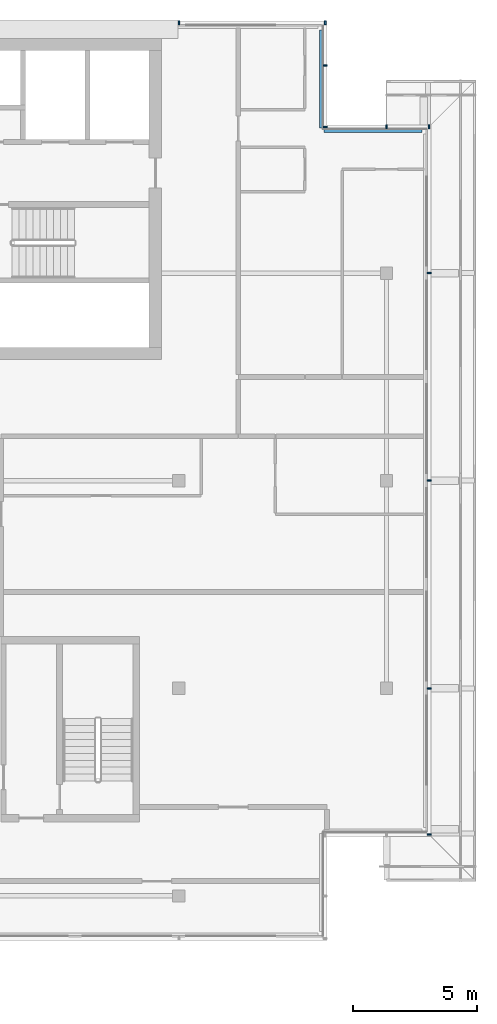
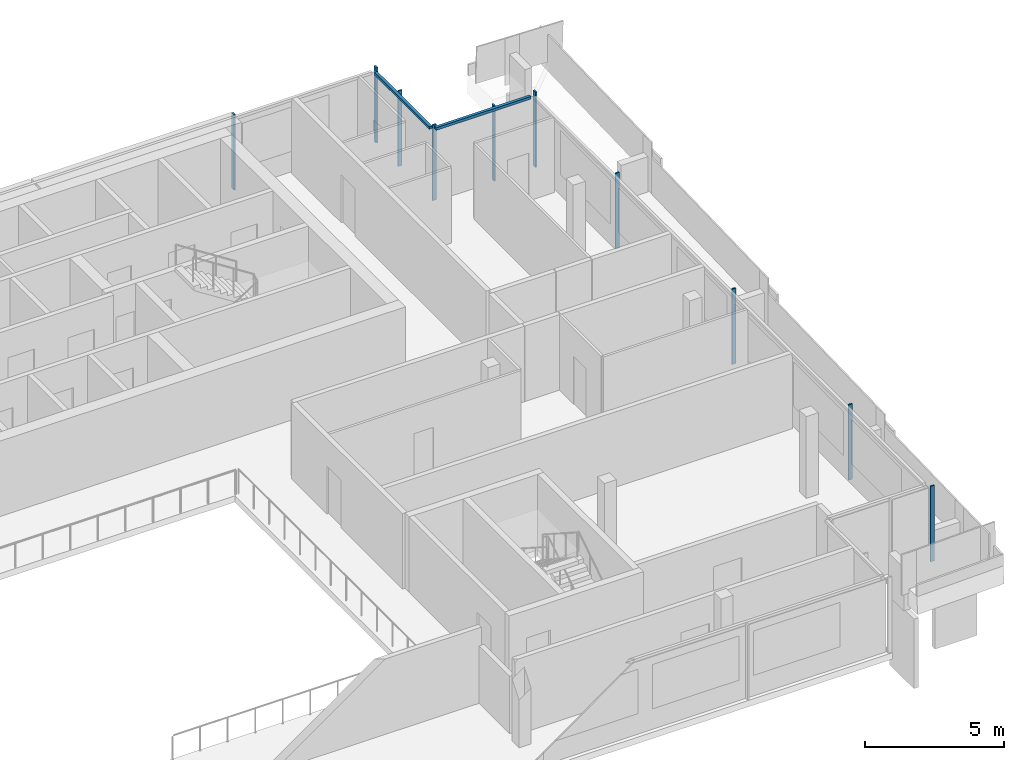
# One storey, part 8 of 19: 12 members, 4 elements without a shape of their own.
"""IFC4 building model written with IfcOpenShell, lengths in metres."""

from ifc_helpers import new_model, si_unit, direction, frame, origin, origin_2d, place, context, subcontext, project, spatial, rectangle, extrude, material, material_profile, profile_set, type_object, element, aggregate, save


model = new_model("IFC4")

# Units and contexts
model_context = context("Model", 3, precision=1e-05, world=origin(), true_north=direction((0.0, 1.0)))
body_context = subcontext(model_context, "Body", "Model", "MODEL_VIEW")
ifc_project = project(units=[si_unit("LENGTHUNIT", "METRE"), si_unit("AREAUNIT", "SQUARE_METRE"), si_unit("VOLUMEUNIT", "CUBIC_METRE"), si_unit("PLANEANGLEUNIT", "RADIAN"), si_unit("MASSUNIT", "GRAM", prefix="KILO")], contexts=[model_context])

# Site, building, storey
site_placement = place(None, origin())
site = spatial("IfcSite", under=ifc_project, at=site_placement, CompositionType="ELEMENT")
building_placement = place(site_placement, origin())
building = spatial("IfcBuilding", under=site, at=building_placement, Name="Saffron Gate Tower", CompositionType="ELEMENT")
storey_placement = place(building_placement, frame((0.0, 0.0, 292.35009765625)))
storey = spatial("IfcBuildingStorey", under=building, at=storey_placement, Name="L71", CompositionType="ELEMENT", Elevation=292.35009765625)

# Curtain wall, members
ifc_material = material(Name="Aluminium, bronze anodised", Category="aluminium")
curtain_wall_type_1 = type_object("IfcCurtainWallType", Name="CWS2 curtain wall side facades", PredefinedType="NOTDEFINED", material=ifc_material)
curtain_wall_1_placement = place(storey_placement, origin())
curtain_wall_1 = element("IfcCurtainWall", 1, at=curtain_wall_1_placement, inside=storey, type_object=curtain_wall_type_1, Name="CWS2 run 4", PredefinedType="NOTDEFINED")
ifc_material_profile_1 = material_profile(ifc_material, rectangle(XDim=0.159912109375, YDim=0.06005859375, at=origin_2d()))
ifc_profile_set_1 = profile_set([ifc_material_profile_1], Name="Aluminium, bronze anodised")
member_type_1 = type_object("IfcMemberType", Name="CWS2 mullion 60x160", PredefinedType="MULLION", material=ifc_profile_set_1)
member_1_placement = place(storey_placement, frame((118.719970703125, 42.679931640625, 0.0), z_axis=(0.0, 0.0, 1.0), x_axis=(-1.0, 0.0, 0.0)))
member_1 = element("IfcMember", 2, at=member_1_placement, type_object=member_type_1, Name="CWS2 mullion 1", PredefinedType="MULLION", context=body_context, shape_type="SweptSolid", body=[
    extrude(rectangle(XDim=0.159912109375, YDim=0.06005859375, at=origin_2d()), origin(), (0.0, 0.0, 1.0), 3.31982421875),
])
member_2_placement = place(storey_placement, frame((118.719970703125, 48.60009765625, 0.0), z_axis=(0.0, 0.0, 1.0), x_axis=(-1.0, 0.0, 0.0)))
member_2 = element("IfcMember", 3, at=member_2_placement, type_object=member_type_1, Name="CWS2 mullion 2", PredefinedType="MULLION", context=body_context, shape_type="SweptSolid", body=[
    extrude(rectangle(XDim=0.159912109375, YDim=0.06005859375, at=origin_2d()), origin(), (0.0, 0.0, 1.0), 3.31982421875),
])
member_3_placement = place(storey_placement, frame((118.719970703125, 57.0, 0.0), z_axis=(0.0, 0.0, 1.0), x_axis=(-1.0, 0.0, 0.0)))
member_3 = element("IfcMember", 4, at=member_3_placement, type_object=member_type_1, Name="CWS2 mullion 3", PredefinedType="MULLION", context=body_context, shape_type="SweptSolid", body=[
    extrude(rectangle(XDim=0.159912109375, YDim=0.06005859375, at=origin_2d()), origin(), (0.0, 0.0, 1.0), 3.31982421875),
])
member_4_placement = place(storey_placement, frame((118.719970703125, 65.39990234375, 0.0), z_axis=(0.0, 0.0, 1.0), x_axis=(-1.0, 0.0, 0.0)))
member_4 = element("IfcMember", 5, at=member_4_placement, type_object=member_type_1, Name="CWS2 mullion 4", PredefinedType="MULLION", context=body_context, shape_type="SweptSolid", body=[
    extrude(rectangle(XDim=0.159912109375, YDim=0.06005859375, at=origin_2d()), origin(), (0.0, 0.0, 1.0), 3.31982421875),
])
aggregate(curtain_wall_1, [member_1, member_2, member_3, member_4])

curtain_wall_type_2 = type_object("IfcCurtainWallType", Name="CWS3 curtain wall rear facade", PredefinedType="NOTDEFINED", material=ifc_material)
curtain_wall_2_placement = place(storey_placement, origin())
curtain_wall_2 = element("IfcCurtainWall", 6, at=curtain_wall_2_placement, inside=storey, type_object=curtain_wall_type_2, Name="CWS3 run 7", PredefinedType="NOTDEFINED")
ifc_material_profile_2 = material_profile(ifc_material, rectangle(XDim=0.159912109375, YDim=0.070068359375, at=origin_2d()))
ifc_profile_set_2 = profile_set([ifc_material_profile_2], Name="Aluminium, bronze anodised")
member_type_2 = type_object("IfcMemberType", Name="CWS3 mullion 70x160", PredefinedType="MULLION", material=ifc_profile_set_2)
member_5_placement = place(storey_placement, frame((114.52001953125, 75.52001953125, 0.0), z_axis=(0.0, 0.0, 1.0), x_axis=(0.0, -1.0, 0.0)))
member_5 = element("IfcMember", 7, at=member_5_placement, type_object=member_type_2, Name="CWS3 mullion 1", PredefinedType="MULLION", context=body_context, shape_type="SweptSolid", body=[
    extrude(rectangle(XDim=0.159912109375, YDim=0.070068359375, at=origin_2d()), origin(), (0.0, 0.0, 1.0), 3.31982421875),
])
member_6_placement = place(storey_placement, frame((108.60009765625, 75.52001953125, 0.0), z_axis=(0.0, 0.0, 1.0), x_axis=(0.0, -1.0, 0.0)))
member_6 = element("IfcMember", 8, at=member_6_placement, type_object=member_type_2, Name="CWS3 mullion 2", PredefinedType="MULLION", context=body_context, shape_type="SweptSolid", body=[
    extrude(rectangle(XDim=0.159912109375, YDim=0.070068359375, at=origin_2d()), origin(), (0.0, 0.0, 1.0), 3.31982421875),
])
aggregate(curtain_wall_2, [member_5, member_6])

# Curtain wall, member
curtain_wall_type_3 = type_object("IfcCurtainWallType", Name="CWS4 curtain wall corner returns", PredefinedType="NOTDEFINED", material=ifc_material)
curtain_wall_3_placement = place(storey_placement, origin())
curtain_wall_3 = element("IfcCurtainWall", 9, at=curtain_wall_3_placement, inside=storey, type_object=curtain_wall_type_3, Name="CWS4 run 5", PredefinedType="NOTDEFINED")
ifc_material_profile_3 = material_profile(ifc_material, rectangle(XDim=0.1201171875, YDim=0.1201171875, at=origin_2d()))
ifc_profile_set_3 = profile_set([ifc_material_profile_3], Name="Aluminium, bronze anodised")
member_type_3 = type_object("IfcMemberType", Name="CWS4 head transom", PredefinedType="USERDEFINED", material=ifc_profile_set_3)
member_7_placement = place(storey_placement, frame((118.431884765625, 71.152099609375, 3.260009765625), z_axis=(-1.0, 0.0, 0.0), x_axis=(0.0, -1.0, 0.0)))
member_7 = element("IfcMember", 10, at=member_7_placement, type_object=member_type_3, Name="CWS4 head transom", ObjectType="TRANSOM", PredefinedType="USERDEFINED", context=body_context, shape_type="SweptSolid", body=[
    extrude(rectangle(XDim=0.1201171875, YDim=0.1201171875, at=origin_2d()), origin(), (0.0, 0.0, 1.0), 3.9599609375),
])

curtain_wall_4_placement = place(storey_placement, origin())
curtain_wall_4 = element("IfcCurtainWall", 11, at=curtain_wall_4_placement, inside=storey, type_object=curtain_wall_type_3, Name="CWS4 run 6", PredefinedType="NOTDEFINED")
member_8_placement = place(storey_placement, frame((114.35205078125, 71.27197265625, 3.260009765625), z_axis=(0.0, 1.0, 0.0), x_axis=(-1.0, 0.0, 0.0)))
member_8 = element("IfcMember", 12, at=member_8_placement, type_object=member_type_3, Name="CWS4 head transom", ObjectType="TRANSOM", PredefinedType="USERDEFINED", context=body_context, shape_type="SweptSolid", body=[
    extrude(rectangle(XDim=0.1201171875, YDim=0.1201171875, at=origin_2d()), origin(), (0.0, 0.0, 1.0), 3.9599609375),
])

# Member
ifc_material_profile_4 = material_profile(ifc_material, rectangle(XDim=0.159912109375, YDim=0.06005859375, at=origin_2d()))
ifc_profile_set_4 = profile_set([ifc_material_profile_4], Name="Aluminium, bronze anodised")
member_type_4 = type_object("IfcMemberType", Name="CWS4 mullion 60x160", PredefinedType="MULLION", material=ifc_profile_set_4)
member_9_placement = place(storey_placement, frame((118.719970703125, 71.320068359375, 0.0), z_axis=(0.0, 0.0, 1.0), x_axis=(0.0, -1.0, 0.0)))
member_9 = element("IfcMember", 13, at=member_9_placement, type_object=member_type_4, Name="CWS4 mullion 1", PredefinedType="MULLION", context=body_context, shape_type="SweptSolid", body=[
    extrude(rectangle(XDim=0.159912109375, YDim=0.06005859375, at=origin_2d()), origin(), (0.0, 0.0, 1.0), 3.31982421875),
])

member_10_placement = place(storey_placement, frame((117.0, 71.320068359375, 0.0), z_axis=(0.0, 0.0, 1.0), x_axis=(0.0, -1.0, 0.0)))
member_10 = element("IfcMember", 14, at=member_10_placement, type_object=member_type_4, Name="CWS4 mullion 2", PredefinedType="MULLION", context=body_context, shape_type="SweptSolid", body=[
    extrude(rectangle(XDim=0.159912109375, YDim=0.06005859375, at=origin_2d()), origin(), (0.0, 0.0, 1.0), 3.31982421875),
])

aggregate(curtain_wall_3, [member_9, member_10, member_7])

member_11_placement = place(storey_placement, frame((114.52001953125, 71.320068359375, 0.0), z_axis=(0.0, 0.0, 1.0), x_axis=(-1.0, 0.0, 0.0)))
member_11 = element("IfcMember", 15, at=member_11_placement, type_object=member_type_4, Name="CWS4 mullion 1", PredefinedType="MULLION", context=body_context, shape_type="SweptSolid", body=[
    extrude(rectangle(XDim=0.159912109375, YDim=0.06005859375, at=origin_2d()), origin(), (0.0, 0.0, 1.0), 3.31982421875),
])

member_12_placement = place(storey_placement, frame((114.52001953125, 73.800048828125, 0.0), z_axis=(0.0, 0.0, 1.0), x_axis=(-1.0, 0.0, 0.0)))
member_12 = element("IfcMember", 16, at=member_12_placement, type_object=member_type_4, Name="CWS4 mullion 2", PredefinedType="MULLION", context=body_context, shape_type="SweptSolid", body=[
    extrude(rectangle(XDim=0.159912109375, YDim=0.06005859375, at=origin_2d()), origin(), (0.0, 0.0, 1.0), 3.31982421875),
])

aggregate(curtain_wall_4, [member_11, member_12, member_8])

save(model, "model.ifc")
